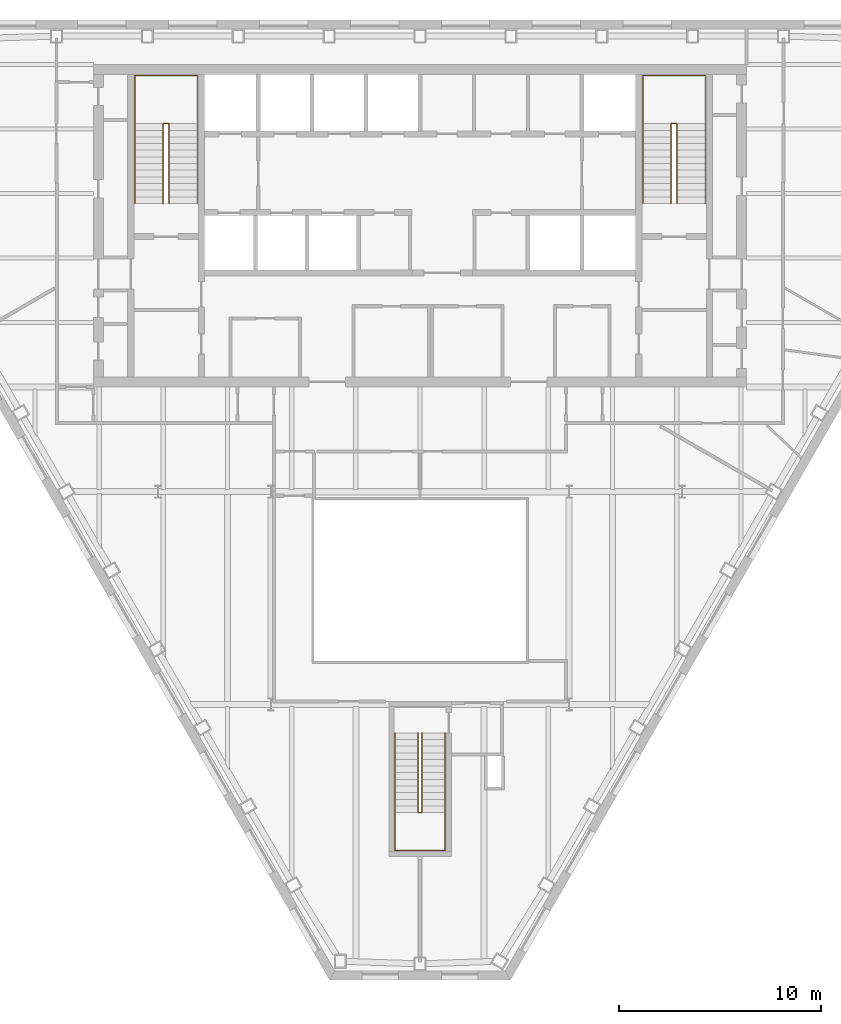
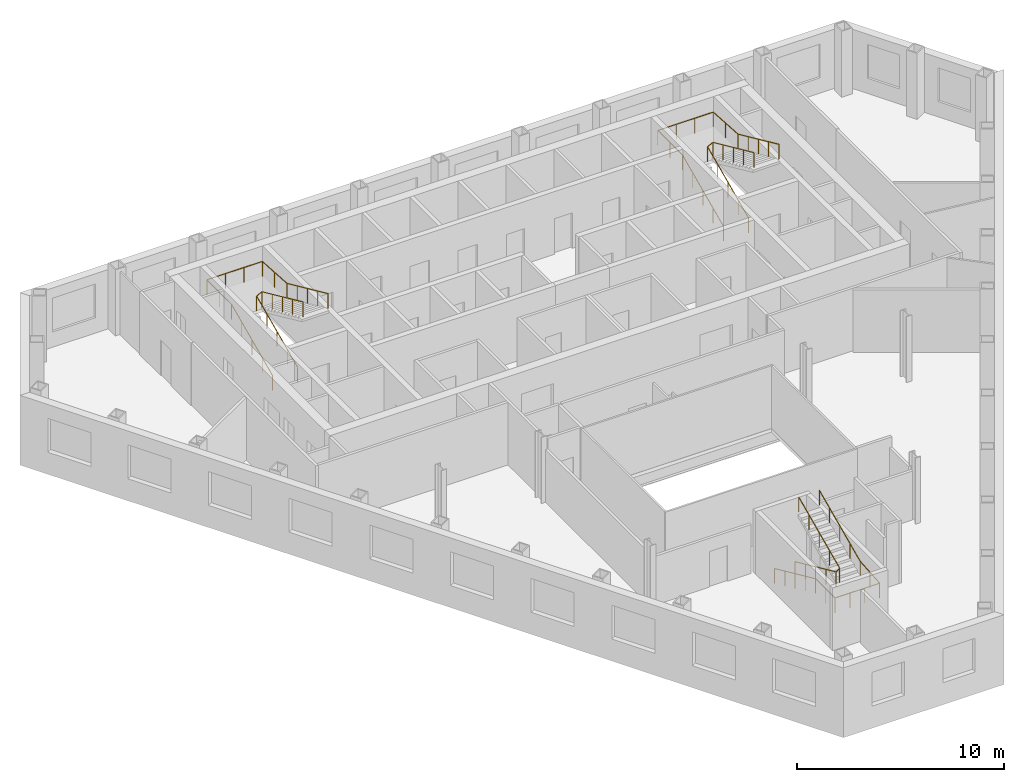
# One storey, part 11 of 11: 6 railings.
"""IFC4 building model written with IfcOpenShell, lengths in metres."""

import ifcopenshell
import ifcopenshell.guid

model = None  # the IFC model being written
_history = None  # IfcOwnerHistory: only IFC2X3 demands one
_inside = {}  # id of a spatial element -> (the spatial element, [elements in it])
_under = {}  # id of a project, library or spatial element -> (it, [spatial elements below it])
_declared = {}  # id of a project -> (the project, [libraries it declares])
_typed = {}  # id of a type object -> (the type object, [elements of that type])
_made_of = {}  # id of a material, layer set ... -> (it, [elements and type objects made of it])


def new_model(schema):
    """Start an empty IFC model of exactly this schema.

    Asked for "IFC4X3", IfcOpenShell would pick the latest addendum, in which some entities
    have other attributes; the version numbers below select the first issue.
    IFC2X3 requires an IfcOwnerHistory on every rooted entity: one is made here for all.
    """
    global model, _history
    if schema == "IFC4X3":
        model = ifcopenshell.file(schema_version=(4, 3, 0, 0))
    else:
        model = ifcopenshell.file(schema=schema)
    _inside.clear()
    _under.clear()
    _declared.clear()
    _typed.clear()
    _made_of.clear()
    _history = None
    if model.schema == "IFC2X3":
        org = make("IfcOrganization", Name="unknown")
        user = make(
            "IfcPersonAndOrganization",
            ThePerson=make("IfcPerson", FamilyName="unknown"),
            TheOrganization=org,
        )
        app = make(
            "IfcApplication",
            ApplicationDeveloper=org,
            Version="unknown",
            ApplicationFullName="unknown",
            ApplicationIdentifier="unknown",
        )
        _history = make(
            "IfcOwnerHistory",
            OwningUser=user,
            OwningApplication=app,
            ChangeAction="ADDED",
            CreationDate=0,
        )
    return model


def make(cls, **values):
    """One entity of the class cls with the attributes given. An attribute that is None is left unset."""
    return model.create_entity(
        cls, **{name: value for name, value in values.items() if value is not None}
    )


def rooted(cls, **values):
    """An entity with a GlobalId (a new one), such as an element, a storey or a relation."""
    return make(cls, GlobalId=ifcopenshell.guid.new(), OwnerHistory=_history, **values)


def si_unit(unit_type, name, prefix=None):
    """IfcSIUnit, for example si_unit("LENGTHUNIT", "METRE", prefix="MILLI")."""
    return make("IfcSIUnit", UnitType=unit_type, Prefix=prefix, Name=name)


def assignment(units):
    """IfcUnitAssignment: the units of a project."""
    return None if units is None else make("IfcUnitAssignment", Units=units)


def point(xyz):
    """IfcCartesianPoint."""
    return None if xyz is None else make("IfcCartesianPoint", Coordinates=xyz)


def direction(xyz):
    """IfcDirection."""
    return None if xyz is None else make("IfcDirection", DirectionRatios=xyz)


def frame(location, z_axis=None, x_axis=None):
    """IfcAxis2Placement3D, a coordinate frame: its origin and axes. An axis left out is left unset."""
    return make(
        "IfcAxis2Placement3D",
        Location=point(location),
        Axis=direction(z_axis),
        RefDirection=direction(x_axis),
    )


def frame_2d(location, x_axis=None):
    """IfcAxis2Placement2D, a coordinate frame in the plane: its origin and x axis."""
    return make(
        "IfcAxis2Placement2D", Location=point(location), RefDirection=direction(x_axis)
    )


def origin():
    """The frame at (0, 0, 0) with its axes left unset."""
    return frame((0.0, 0.0, 0.0))


def origin_2d():
    """The frame at (0, 0) in the plane with its x axis left unset."""
    return frame_2d((0.0, 0.0))


def place(relative_to, where):
    """IfcLocalPlacement: puts the frame where relative to a parent placement (None: the world)."""
    return make(
        "IfcLocalPlacement", PlacementRelTo=relative_to, RelativePlacement=where
    )


def context(
    kind, dimensions, precision=None, world=None, true_north=None, identifier=None
):
    """IfcGeometricRepresentationContext, for example the 3D "Model" context."""
    return make(
        "IfcGeometricRepresentationContext",
        ContextIdentifier=identifier,
        ContextType=kind,
        CoordinateSpaceDimension=dimensions,
        Precision=precision,
        WorldCoordinateSystem=world,
        TrueNorth=true_north,
    )


def subcontext(parent, identifier, kind, view, scale=None):
    """IfcGeometricRepresentationSubContext, for example "Body" below "Model"."""
    return make(
        "IfcGeometricRepresentationSubContext",
        ContextIdentifier=identifier,
        ContextType=kind,
        ParentContext=parent,
        TargetScale=scale,
        TargetView=view,
    )


def project(units=None, contexts=None):
    """IfcProject with its units and contexts."""
    return rooted(
        "IfcProject",
        Name="project",
        RepresentationContexts=contexts,
        UnitsInContext=assignment(units),
    )


def spatial(cls, under=None, at=None, **own):
    """A site, building, storey or space (cls), placed at a placement, below another one or the project."""
    s = rooted(cls, ObjectPlacement=at, **own)
    if under is not None:
        _under.setdefault(under.id(), (under, []))[1].append(s)
    return s


def profile(cls, at=None, kind="AREA", **sizes):
    """A parametric profile (cls). Its sizes go by their IFC names, for example OverallWidth=200.0."""
    return make(cls, ProfileType=kind, Position=at, **sizes)


def circle(**sizes):
    """IfcCircleProfileDef."""
    return profile("IfcCircleProfileDef", **sizes)


def extrude(swept, where, along, depth):
    """IfcExtrudedAreaSolid: the profile swept, set in the frame where, extruded along a direction by depth."""
    return make(
        "IfcExtrudedAreaSolid",
        SweptArea=swept,
        Position=where,
        ExtrudedDirection=direction(along),
        Depth=depth,
    )


def shape(context_of_items, identifier, shape_type, items):
    """IfcShapeRepresentation: the items that make up one representation, for example the "Body"."""
    return make(
        "IfcShapeRepresentation",
        ContextOfItems=context_of_items,
        RepresentationIdentifier=identifier,
        RepresentationType=shape_type,
        Items=items,
    )


def material(Name=None, Category=None):
    """IfcMaterial."""
    return make("IfcMaterial", Name=Name, Category=Category)


def made_of(thing, what):
    """Note that an element or type object is made of a material, layer set ...; save() writes the relation."""
    if what is not None:
        _made_of.setdefault(what.id(), (what, []))[1].append(thing)
    return thing


def type_object(cls, material=None, **own):
    """A type object (cls), such as IfcWallType, which elements share."""
    return made_of(rooted(cls, **own), material)


def element(
    cls,
    number,
    at=None,
    inside=None,
    cuts=None,
    type_object=None,
    material=None,
    context=None,
    identifier="Body",
    shape_type=None,
    held_by="IfcProductDefinitionShape",
    body=None,
    shapes=None,
    **own,
):
    """One element of the class cls, such as IfcWall. Its Tag is "e" and its number.

    at: its placement. inside: the storey or other place that contains it. cuts: it is an
    opening in that element (IfcRelVoidsElement). A single representation is given by context,
    identifier, shape_type and body (its items); several are given by shapes. held_by: the class
    of the entity that holds the representations. save() writes the other relations.
    """
    e = rooted(cls, Tag="e%d" % number, ObjectPlacement=at, **own)
    if body is not None:
        shapes = [shape(context, identifier, shape_type, body)]
    if shapes is not None:
        e.Representation = make(held_by, Representations=shapes)
    if inside is not None:
        _inside.setdefault(inside.id(), (inside, []))[1].append(e)
    if cuts is not None:
        rooted(
            "IfcRelVoidsElement", RelatingBuildingElement=cuts, RelatedOpeningElement=e
        )
    if type_object is not None:
        _typed.setdefault(type_object.id(), (type_object, []))[1].append(e)
    return made_of(e, material)


def aggregate(whole, parts):
    """IfcRelAggregates: a whole, such as a stair, and the parts it consists of."""
    return rooted("IfcRelAggregates", RelatingObject=whole, RelatedObjects=parts)


def save(model, path):
    """Write the relations noted so far, then the file.

    IfcRelAggregates (storeys below a building ...), IfcRelContainedInSpatialStructure (elements
    in a storey), IfcRelDefinesByType, IfcRelAssociatesMaterial and IfcRelDeclares: one each for
    every whole, place, type object, material and project.
    """
    for whole, parts in _under.values():
        aggregate(whole, parts)
    for where, things in _inside.values():
        rooted(
            "IfcRelContainedInSpatialStructure",
            RelatedElements=things,
            RelatingStructure=where,
        )
    for kind, things in _typed.values():
        rooted("IfcRelDefinesByType", RelatedObjects=things, RelatingType=kind)
    for what, things in _made_of.values():
        rooted("IfcRelAssociatesMaterial", RelatedObjects=things, RelatingMaterial=what)
    for by, libraries in _declared.values():
        rooted("IfcRelDeclares", RelatingContext=by, RelatedDefinitions=libraries)
    model.write(path)


model = new_model("IFC4")

# Units and contexts
model_context = context("Model", 3, precision=1e-05, world=origin(), true_north=direction((0.0, 1.0)))
body_context = subcontext(model_context, "Body", "Model", "MODEL_VIEW")
ifc_project = project(units=[si_unit("LENGTHUNIT", "METRE"), si_unit("AREAUNIT", "SQUARE_METRE"), si_unit("VOLUMEUNIT", "CUBIC_METRE"), si_unit("PLANEANGLEUNIT", "RADIAN"), si_unit("MASSUNIT", "GRAM", prefix="KILO")], contexts=[model_context])

# Site, building, storey
site_placement = place(None, origin())
site = spatial("IfcSite", under=ifc_project, at=site_placement, CompositionType="ELEMENT")
building_placement = place(site_placement, origin())
building = spatial("IfcBuilding", under=site, at=building_placement, Name="Njiva Tower", CompositionType="ELEMENT")
storey_placement = place(building_placement, frame((0.0, 0.0, 147.6)))
storey = spatial("IfcBuildingStorey", under=building, at=storey_placement, Name="L31", CompositionType="ELEMENT", Elevation=147.6)

# Railings
ifc_material = material(Name="Stainless steel", Category="steel")
railing_type = type_object("IfcRailingType", Name="RL1 Stair handrail 900", PredefinedType="HANDRAIL", material=ifc_material)
railing_1_placement = place(storey_placement, frame((-14.15, 11.1, 0.15)))
element("IfcRailing", 1, at=railing_1_placement, inside=storey, type_object=railing_type, Name="Stair A handrail", PredefinedType="HANDRAIL", context=body_context, shape_type="SweptSolid", body=[
    extrude(circle(Radius=0.024, at=origin_2d()), frame((0.0, 0.0, 0.876), z_axis=(0.0, 0.910366477463, 0.413802944301), x_axis=(-1.0, 0.0, 0.0)), (0.0, 0.0, 1.0), 4.3499),
    extrude(circle(Radius=0.024, at=origin_2d()), frame((0.0, 3.96, 2.676), z_axis=(0.0, 1.0, 0.0), x_axis=(-1.0, 0.0, 0.0)), (0.0, 0.0, 1.0), 2.39),
    extrude(circle(Radius=0.024, at=origin_2d()), frame((0.0, 6.35, 2.676), z_axis=(1.0, 0.0, 0.0), x_axis=(0.0, 1.0, 0.0)), (0.0, 0.0, 1.0), 3.1),
    extrude(circle(Radius=0.024, at=origin_2d()), frame((3.1, 6.35, 2.676), z_axis=(0.0, -0.998036296047, 0.062638261258), x_axis=(1.0, 0.0, 0.0)), (0.0, 0.0, 1.0), 2.3947),
    extrude(circle(Radius=0.024, at=origin_2d()), frame((3.1, 3.96, 2.826), z_axis=(0.0, -0.910366477463, 0.413802944301), x_axis=(1.0, 0.0, 0.0)), (0.0, 0.0, 1.0), 4.3499),
    extrude(circle(Radius=0.021, at=origin_2d()), origin(), (0.0, 0.0, 1.0), 0.852),
    extrude(circle(Radius=0.021, at=origin_2d()), frame((0.0, 0.99, 0.45)), (0.0, 0.0, 1.0), 0.852),
    extrude(circle(Radius=0.021, at=origin_2d()), frame((0.0, 1.98, 0.9)), (0.0, 0.0, 1.0), 0.852),
    extrude(circle(Radius=0.021, at=origin_2d()), frame((0.0, 2.97, 1.35)), (0.0, 0.0, 1.0), 0.852),
    extrude(circle(Radius=0.021, at=origin_2d()), frame((0.0, 3.96, 1.8)), (0.0, 0.0, 1.0), 0.852),
    extrude(circle(Radius=0.021, at=origin_2d()), frame((0.0, 5.155, 1.8)), (0.0, 0.0, 1.0), 0.852),
    extrude(circle(Radius=0.021, at=origin_2d()), frame((0.0, 6.35, 1.8)), (0.0, 0.0, 1.0), 0.852),
    extrude(circle(Radius=0.021, at=origin_2d()), frame((1.0333, 6.35, 1.8)), (0.0, 0.0, 1.0), 0.852),
    extrude(circle(Radius=0.021, at=origin_2d()), frame((2.0667, 6.35, 1.8)), (0.0, 0.0, 1.0), 0.852),
    extrude(circle(Radius=0.021, at=origin_2d()), frame((3.1, 6.35, 1.8)), (0.0, 0.0, 1.0), 0.852),
    extrude(circle(Radius=0.021, at=origin_2d()), frame((3.1, 5.155, 1.875)), (0.0, 0.0, 1.0), 0.852),
    extrude(circle(Radius=0.021, at=origin_2d()), frame((3.1, 3.96, 1.95)), (0.0, 0.0, 1.0), 0.852),
    extrude(circle(Radius=0.021, at=origin_2d()), frame((3.1, 2.97, 2.4)), (0.0, 0.0, 1.0), 0.852),
    extrude(circle(Radius=0.021, at=origin_2d()), frame((3.1, 1.98, 2.85)), (0.0, 0.0, 1.0), 0.852),
    extrude(circle(Radius=0.021, at=origin_2d()), frame((3.1, 0.99, 3.3)), (0.0, 0.0, 1.0), 0.852),
    extrude(circle(Radius=0.021, at=origin_2d()), frame((3.1, 0.0, 3.75)), (0.0, 0.0, 1.0), 0.852),
])
railing_2_placement = place(storey_placement, frame((-12.75, 11.1, 0.15)))
element("IfcRailing", 2, at=railing_2_placement, inside=storey, type_object=railing_type, Name="Stair A handrail", PredefinedType="HANDRAIL", context=body_context, shape_type="SweptSolid", body=[
    extrude(circle(Radius=0.024, at=origin_2d()), frame((0.0, 0.0, 0.876), z_axis=(0.0, 0.910366477463, 0.413802944301), x_axis=(-1.0, 0.0, 0.0)), (0.0, 0.0, 1.0), 4.3499),
    extrude(circle(Radius=0.024, at=origin_2d()), frame((0.0, 3.96, 2.676), z_axis=(0.894427191, 0.0, 0.4472135955), x_axis=(0.0, 1.0, 0.0)), (0.0, 0.0, 1.0), 0.3354),
    extrude(circle(Radius=0.024, at=origin_2d()), frame((0.3, 3.96, 2.826), z_axis=(0.0, -0.910366477463, 0.413802944301), x_axis=(1.0, 0.0, 0.0)), (0.0, 0.0, 1.0), 4.3499),
    extrude(circle(Radius=0.021, at=origin_2d()), origin(), (0.0, 0.0, 1.0), 0.852),
    extrude(circle(Radius=0.021, at=origin_2d()), frame((0.0, 0.99, 0.45)), (0.0, 0.0, 1.0), 0.852),
    extrude(circle(Radius=0.021, at=origin_2d()), frame((0.0, 1.98, 0.9)), (0.0, 0.0, 1.0), 0.852),
    extrude(circle(Radius=0.021, at=origin_2d()), frame((0.0, 2.97, 1.35)), (0.0, 0.0, 1.0), 0.852),
    extrude(circle(Radius=0.021, at=origin_2d()), frame((0.0, 3.96, 1.8)), (0.0, 0.0, 1.0), 0.852),
    extrude(circle(Radius=0.021, at=origin_2d()), frame((0.3, 3.96, 1.95)), (0.0, 0.0, 1.0), 0.852),
    extrude(circle(Radius=0.021, at=origin_2d()), frame((0.3, 2.97, 2.4)), (0.0, 0.0, 1.0), 0.852),
    extrude(circle(Radius=0.021, at=origin_2d()), frame((0.3, 1.98, 2.85)), (0.0, 0.0, 1.0), 0.852),
    extrude(circle(Radius=0.021, at=origin_2d()), frame((0.3, 0.99, 3.3)), (0.0, 0.0, 1.0), 0.852),
    extrude(circle(Radius=0.021, at=origin_2d()), frame((0.3, 0.0, 3.75)), (0.0, 0.0, 1.0), 0.852),
])
railing_3_placement = place(storey_placement, frame((11.05, 11.1, 0.15)))
element("IfcRailing", 3, at=railing_3_placement, inside=storey, type_object=railing_type, Name="Stair B handrail", PredefinedType="HANDRAIL", context=body_context, shape_type="SweptSolid", body=[
    extrude(circle(Radius=0.024, at=origin_2d()), frame((0.0, 0.0, 0.876), z_axis=(0.0, 0.910366477463, 0.413802944301), x_axis=(-1.0, 0.0, 0.0)), (0.0, 0.0, 1.0), 4.3499),
    extrude(circle(Radius=0.024, at=origin_2d()), frame((0.0, 3.96, 2.676), z_axis=(0.0, 1.0, 0.0), x_axis=(-1.0, 0.0, 0.0)), (0.0, 0.0, 1.0), 2.39),
    extrude(circle(Radius=0.024, at=origin_2d()), frame((0.0, 6.35, 2.676), z_axis=(1.0, 0.0, 0.0), x_axis=(0.0, 1.0, 0.0)), (0.0, 0.0, 1.0), 3.1),
    extrude(circle(Radius=0.024, at=origin_2d()), frame((3.1, 6.35, 2.676), z_axis=(0.0, -0.998036296047, 0.062638261258), x_axis=(1.0, 0.0, 0.0)), (0.0, 0.0, 1.0), 2.3947),
    extrude(circle(Radius=0.024, at=origin_2d()), frame((3.1, 3.96, 2.826), z_axis=(0.0, -0.910366477463, 0.413802944301), x_axis=(1.0, 0.0, 0.0)), (0.0, 0.0, 1.0), 4.3499),
    extrude(circle(Radius=0.021, at=origin_2d()), origin(), (0.0, 0.0, 1.0), 0.852),
    extrude(circle(Radius=0.021, at=origin_2d()), frame((0.0, 0.99, 0.45)), (0.0, 0.0, 1.0), 0.852),
    extrude(circle(Radius=0.021, at=origin_2d()), frame((0.0, 1.98, 0.9)), (0.0, 0.0, 1.0), 0.852),
    extrude(circle(Radius=0.021, at=origin_2d()), frame((0.0, 2.97, 1.35)), (0.0, 0.0, 1.0), 0.852),
    extrude(circle(Radius=0.021, at=origin_2d()), frame((0.0, 3.96, 1.8)), (0.0, 0.0, 1.0), 0.852),
    extrude(circle(Radius=0.021, at=origin_2d()), frame((0.0, 5.155, 1.8)), (0.0, 0.0, 1.0), 0.852),
    extrude(circle(Radius=0.021, at=origin_2d()), frame((0.0, 6.35, 1.8)), (0.0, 0.0, 1.0), 0.852),
    extrude(circle(Radius=0.021, at=origin_2d()), frame((1.0333, 6.35, 1.8)), (0.0, 0.0, 1.0), 0.852),
    extrude(circle(Radius=0.021, at=origin_2d()), frame((2.0667, 6.35, 1.8)), (0.0, 0.0, 1.0), 0.852),
    extrude(circle(Radius=0.021, at=origin_2d()), frame((3.1, 6.35, 1.8)), (0.0, 0.0, 1.0), 0.852),
    extrude(circle(Radius=0.021, at=origin_2d()), frame((3.1, 5.155, 1.875)), (0.0, 0.0, 1.0), 0.852),
    extrude(circle(Radius=0.021, at=origin_2d()), frame((3.1, 3.96, 1.95)), (0.0, 0.0, 1.0), 0.852),
    extrude(circle(Radius=0.021, at=origin_2d()), frame((3.1, 2.97, 2.4)), (0.0, 0.0, 1.0), 0.852),
    extrude(circle(Radius=0.021, at=origin_2d()), frame((3.1, 1.98, 2.85)), (0.0, 0.0, 1.0), 0.852),
    extrude(circle(Radius=0.021, at=origin_2d()), frame((3.1, 0.99, 3.3)), (0.0, 0.0, 1.0), 0.852),
    extrude(circle(Radius=0.021, at=origin_2d()), frame((3.1, 0.0, 3.75)), (0.0, 0.0, 1.0), 0.852),
])
railing_4_placement = place(storey_placement, frame((12.45, 11.1, 0.15)))
element("IfcRailing", 4, at=railing_4_placement, inside=storey, type_object=railing_type, Name="Stair B handrail", PredefinedType="HANDRAIL", context=body_context, shape_type="SweptSolid", body=[
    extrude(circle(Radius=0.024, at=origin_2d()), frame((0.0, 0.0, 0.876), z_axis=(0.0, 0.910366477463, 0.413802944301), x_axis=(-1.0, 0.0, 0.0)), (0.0, 0.0, 1.0), 4.3499),
    extrude(circle(Radius=0.024, at=origin_2d()), frame((0.0, 3.96, 2.676), z_axis=(0.894427191, 0.0, 0.4472135955), x_axis=(0.0, 1.0, 0.0)), (0.0, 0.0, 1.0), 0.3354),
    extrude(circle(Radius=0.024, at=origin_2d()), frame((0.3, 3.96, 2.826), z_axis=(0.0, -0.910366477463, 0.413802944301), x_axis=(1.0, 0.0, 0.0)), (0.0, 0.0, 1.0), 4.3499),
    extrude(circle(Radius=0.021, at=origin_2d()), origin(), (0.0, 0.0, 1.0), 0.852),
    extrude(circle(Radius=0.021, at=origin_2d()), frame((0.0, 0.99, 0.45)), (0.0, 0.0, 1.0), 0.852),
    extrude(circle(Radius=0.021, at=origin_2d()), frame((0.0, 1.98, 0.9)), (0.0, 0.0, 1.0), 0.852),
    extrude(circle(Radius=0.021, at=origin_2d()), frame((0.0, 2.97, 1.35)), (0.0, 0.0, 1.0), 0.852),
    extrude(circle(Radius=0.021, at=origin_2d()), frame((0.0, 3.96, 1.8)), (0.0, 0.0, 1.0), 0.852),
    extrude(circle(Radius=0.021, at=origin_2d()), frame((0.3, 3.96, 1.95)), (0.0, 0.0, 1.0), 0.852),
    extrude(circle(Radius=0.021, at=origin_2d()), frame((0.3, 2.97, 2.4)), (0.0, 0.0, 1.0), 0.852),
    extrude(circle(Radius=0.021, at=origin_2d()), frame((0.3, 1.98, 2.85)), (0.0, 0.0, 1.0), 0.852),
    extrude(circle(Radius=0.021, at=origin_2d()), frame((0.3, 0.99, 3.3)), (0.0, 0.0, 1.0), 0.852),
    extrude(circle(Radius=0.021, at=origin_2d()), frame((0.3, 0.0, 3.75)), (0.0, 0.0, 1.0), 0.852),
])
railing_5_placement = place(storey_placement, frame((-1.25, -15.16, 0.15)))
element("IfcRailing", 5, at=railing_5_placement, inside=storey, type_object=railing_type, Name="Stair C handrail", PredefinedType="HANDRAIL", context=body_context, shape_type="SweptSolid", body=[
    extrude(circle(Radius=0.024, at=origin_2d()), frame((0.0, 0.0, 0.876), z_axis=(0.0, -0.910366477463, 0.413802944301), x_axis=(1.0, 0.0, 0.0)), (0.0, 0.0, 1.0), 4.3499),
    extrude(circle(Radius=0.024, at=origin_2d()), frame((0.0, -3.96, 2.676), z_axis=(0.0, -1.0, 0.0), x_axis=(1.0, 0.0, 0.0)), (0.0, 0.0, 1.0), 1.88),
    extrude(circle(Radius=0.024, at=origin_2d()), frame((0.0, -5.84, 2.676), z_axis=(1.0, 0.0, 0.0), x_axis=(0.0, 1.0, 0.0)), (0.0, 0.0, 1.0), 2.5),
    extrude(circle(Radius=0.024, at=origin_2d()), frame((2.5, -5.84, 2.676), z_axis=(0.0, 0.996832115713, 0.079534477318), x_axis=(-1.0, 0.0, 0.0)), (0.0, 0.0, 1.0), 1.886),
    extrude(circle(Radius=0.024, at=origin_2d()), frame((2.5, -3.96, 2.826), z_axis=(0.0, 0.910366477463, 0.413802944301), x_axis=(-1.0, 0.0, 0.0)), (0.0, 0.0, 1.0), 4.3499),
    extrude(circle(Radius=0.021, at=origin_2d()), origin(), (0.0, 0.0, 1.0), 0.852),
    extrude(circle(Radius=0.021, at=origin_2d()), frame((0.0, -0.99, 0.45)), (0.0, 0.0, 1.0), 0.852),
    extrude(circle(Radius=0.021, at=origin_2d()), frame((0.0, -1.98, 0.9)), (0.0, 0.0, 1.0), 0.852),
    extrude(circle(Radius=0.021, at=origin_2d()), frame((0.0, -2.97, 1.35)), (0.0, 0.0, 1.0), 0.852),
    extrude(circle(Radius=0.021, at=origin_2d()), frame((0.0, -3.96, 1.8)), (0.0, 0.0, 1.0), 0.852),
    extrude(circle(Radius=0.021, at=origin_2d()), frame((0.0, -4.9, 1.8)), (0.0, 0.0, 1.0), 0.852),
    extrude(circle(Radius=0.021, at=origin_2d()), frame((0.0, -5.84, 1.8)), (0.0, 0.0, 1.0), 0.852),
    extrude(circle(Radius=0.021, at=origin_2d()), frame((0.8333, -5.84, 1.8)), (0.0, 0.0, 1.0), 0.852),
    extrude(circle(Radius=0.021, at=origin_2d()), frame((1.6667, -5.84, 1.8)), (0.0, 0.0, 1.0), 0.852),
    extrude(circle(Radius=0.021, at=origin_2d()), frame((2.5, -5.84, 1.8)), (0.0, 0.0, 1.0), 0.852),
    extrude(circle(Radius=0.021, at=origin_2d()), frame((2.5, -4.9, 1.875)), (0.0, 0.0, 1.0), 0.852),
    extrude(circle(Radius=0.021, at=origin_2d()), frame((2.5, -3.96, 1.95)), (0.0, 0.0, 1.0), 0.852),
    extrude(circle(Radius=0.021, at=origin_2d()), frame((2.5, -2.97, 2.4)), (0.0, 0.0, 1.0), 0.852),
    extrude(circle(Radius=0.021, at=origin_2d()), frame((2.5, -1.98, 2.85)), (0.0, 0.0, 1.0), 0.852),
    extrude(circle(Radius=0.021, at=origin_2d()), frame((2.5, -0.99, 3.3)), (0.0, 0.0, 1.0), 0.852),
    extrude(circle(Radius=0.021, at=origin_2d()), frame((2.5, 0.0, 3.75)), (0.0, 0.0, 1.0), 0.852),
])
railing_6_placement = place(storey_placement, frame((-0.1, -15.16, 0.15)))
element("IfcRailing", 6, at=railing_6_placement, inside=storey, type_object=railing_type, Name="Stair C handrail", PredefinedType="HANDRAIL", context=body_context, shape_type="SweptSolid", body=[
    extrude(circle(Radius=0.024, at=origin_2d()), frame((0.0, 0.0, 0.876), z_axis=(0.0, -0.910366477463, 0.413802944301), x_axis=(1.0, 0.0, 0.0)), (0.0, 0.0, 1.0), 4.3499),
    extrude(circle(Radius=0.024, at=origin_2d()), frame((0.0, -3.96, 2.676), z_axis=(0.8, 0.0, 0.6), x_axis=(0.0, 1.0, 0.0)), (0.0, 0.0, 1.0), 0.25),
    extrude(circle(Radius=0.024, at=origin_2d()), frame((0.2, -3.96, 2.826), z_axis=(0.0, 0.910366477463, 0.413802944301), x_axis=(-1.0, 0.0, 0.0)), (0.0, 0.0, 1.0), 4.3499),
    extrude(circle(Radius=0.021, at=origin_2d()), origin(), (0.0, 0.0, 1.0), 0.852),
    extrude(circle(Radius=0.021, at=origin_2d()), frame((0.0, -0.99, 0.45)), (0.0, 0.0, 1.0), 0.852),
    extrude(circle(Radius=0.021, at=origin_2d()), frame((0.0, -1.98, 0.9)), (0.0, 0.0, 1.0), 0.852),
    extrude(circle(Radius=0.021, at=origin_2d()), frame((0.0, -2.97, 1.35)), (0.0, 0.0, 1.0), 0.852),
    extrude(circle(Radius=0.021, at=origin_2d()), frame((0.0, -3.96, 1.8)), (0.0, 0.0, 1.0), 0.852),
    extrude(circle(Radius=0.021, at=origin_2d()), frame((0.2, -3.96, 1.95)), (0.0, 0.0, 1.0), 0.852),
    extrude(circle(Radius=0.021, at=origin_2d()), frame((0.2, -2.97, 2.4)), (0.0, 0.0, 1.0), 0.852),
    extrude(circle(Radius=0.021, at=origin_2d()), frame((0.2, -1.98, 2.85)), (0.0, 0.0, 1.0), 0.852),
    extrude(circle(Radius=0.021, at=origin_2d()), frame((0.2, -0.99, 3.3)), (0.0, 0.0, 1.0), 0.852),
    extrude(circle(Radius=0.021, at=origin_2d()), frame((0.2, 0.0, 3.75)), (0.0, 0.0, 1.0), 0.852),
])

save(model, "model.ifc")
